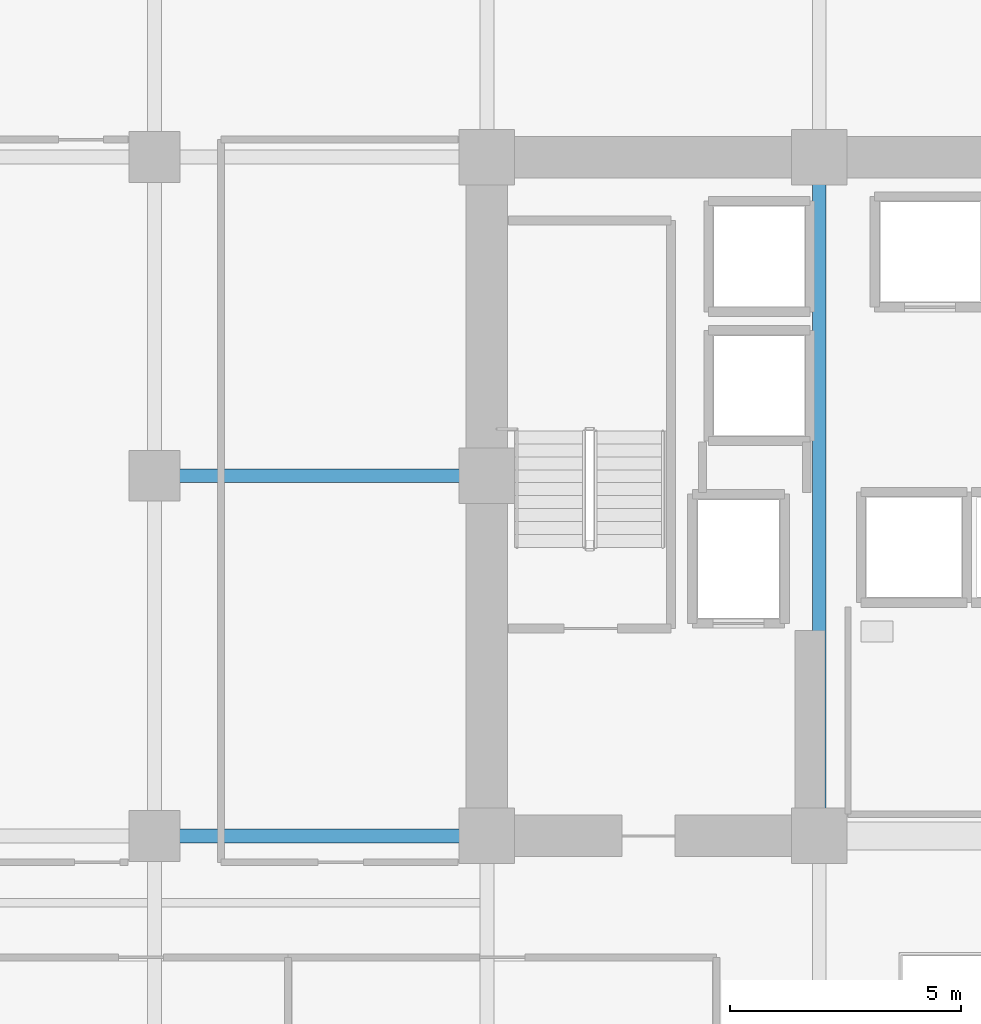
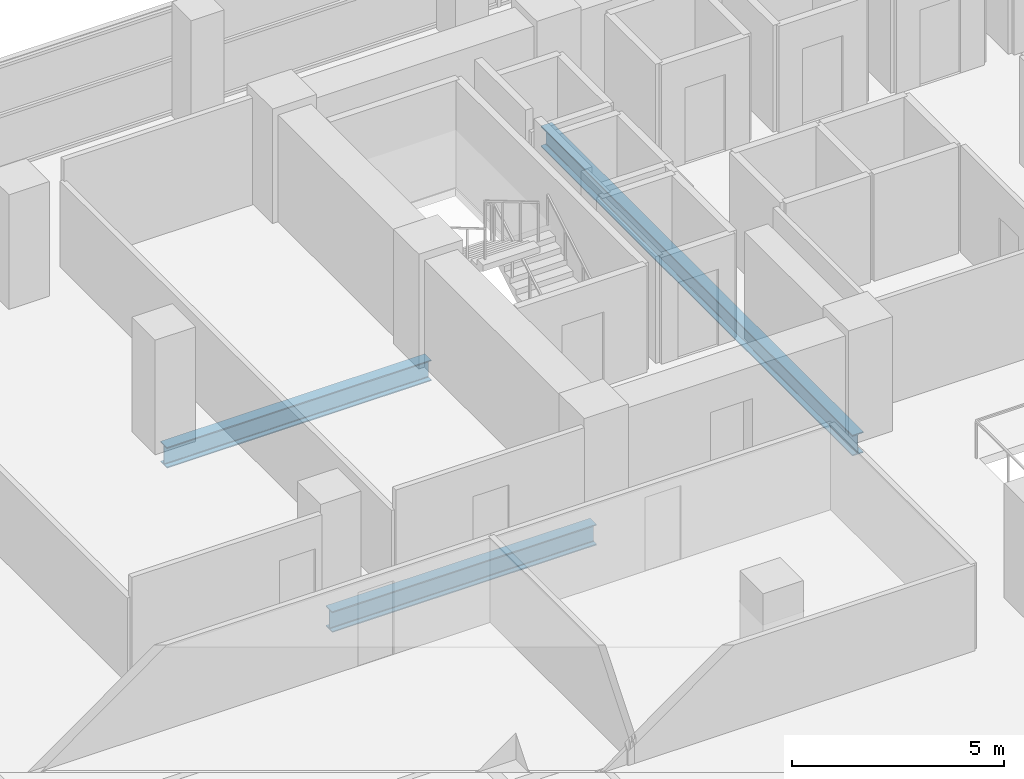
# One storey, part 8 of 30: 3 beams.
"""IFC4 building model written with IfcOpenShell, lengths in metres."""

from ifc_helpers import new_model, si_unit, direction, frame, origin, origin_2d, place, context, subcontext, project, spatial, i_section, extrude, material, material_profile, profile_set, type_object, element, save


model = new_model("IFC4")

# Units and contexts
model_context = context("Model", 3, precision=1e-05, world=origin(), true_north=direction((0.0, 1.0)))
body_context = subcontext(model_context, "Body", "Model", "MODEL_VIEW")
ifc_project = project(units=[si_unit("LENGTHUNIT", "METRE"), si_unit("AREAUNIT", "SQUARE_METRE"), si_unit("VOLUMEUNIT", "CUBIC_METRE"), si_unit("PLANEANGLEUNIT", "RADIAN"), si_unit("MASSUNIT", "GRAM", prefix="KILO")], contexts=[model_context])

# Site, building, storey
site_placement = place(None, origin())
site = spatial("IfcSite", under=ifc_project, at=site_placement, CompositionType="ELEMENT")
building_placement = place(site_placement, origin())
building = spatial("IfcBuilding", under=site, at=building_placement, Name="Zarnakvel Exchange Tower", CompositionType="ELEMENT")
storey_placement = place(building_placement, frame((0.0, 0.0, 34.0)))
storey = spatial("IfcBuildingStorey", under=building, at=storey_placement, Name="L08", CompositionType="ELEMENT", Elevation=34.0)

# Beams
ifc_material = material(Name="Steel S355", Category="steel")
ifc_material_profile = material_profile(ifc_material, i_section(OverallWidth=0.300048828125, OverallDepth=0.60009765625, WebThickness=0.015380859375, FlangeThickness=0.030029296875, FilletRadius=0.027099609375, at=origin_2d()))
ifc_profile_set = profile_set([ifc_material_profile], Name="Steel S355")
beam_type = type_object("IfcBeamType", Name="G-04", PredefinedType="BEAM", material=ifc_profile_set)
for number, where, z_axis, x_axis, name in (
    (1, (-21.60009765625, -1.199951171875, -0.52490234375), (1.0, 0.0, 0.0), (0.0, 1.0, 0.0), "L08 Tower E-W Frame Beam"),
    (2, (-21.60009765625, 6.60009765625, -0.52490234375), (1.0, 0.0, 0.0), (0.0, 1.0, 0.0), "L08 Tower E-W Frame Beam"),
):
    element("IfcBeam", number, at=place(storey_placement, frame(where, z_axis=z_axis, x_axis=x_axis)), inside=storey, type_object=beam_type, Name=name, PredefinedType="BEAM", context=body_context, shape_type="SweptSolid", body=[
        extrude(i_section(OverallWidth=0.300048828125, OverallDepth=0.60009765625, WebThickness=0.015380859375, FlangeThickness=0.030029296875, FilletRadius=0.027099609375, at=origin_2d()), origin(), (0.0, 0.0, 1.0), 7.2001953125),
    ])
beam_placement = place(storey_placement, frame((-7.199951171875, -1.199951171875, -0.52490234375), z_axis=(0.0, 1.0, 0.0), x_axis=(-1.0, 0.0, 0.0)))
element("IfcBeam", 3, at=beam_placement, inside=storey, type_object=beam_type, Name="L08 Tower N-S Frame Beam", PredefinedType="BEAM", context=body_context, shape_type="SweptSolid", body=[
    extrude(i_section(OverallWidth=0.300048828125, OverallDepth=0.60009765625, WebThickness=0.015380859375, FlangeThickness=0.030029296875, FilletRadius=0.027099609375, at=origin_2d()), origin(), (0.0, 0.0, 1.0), 14.699951171875),
])

save(model, "model.ifc")
